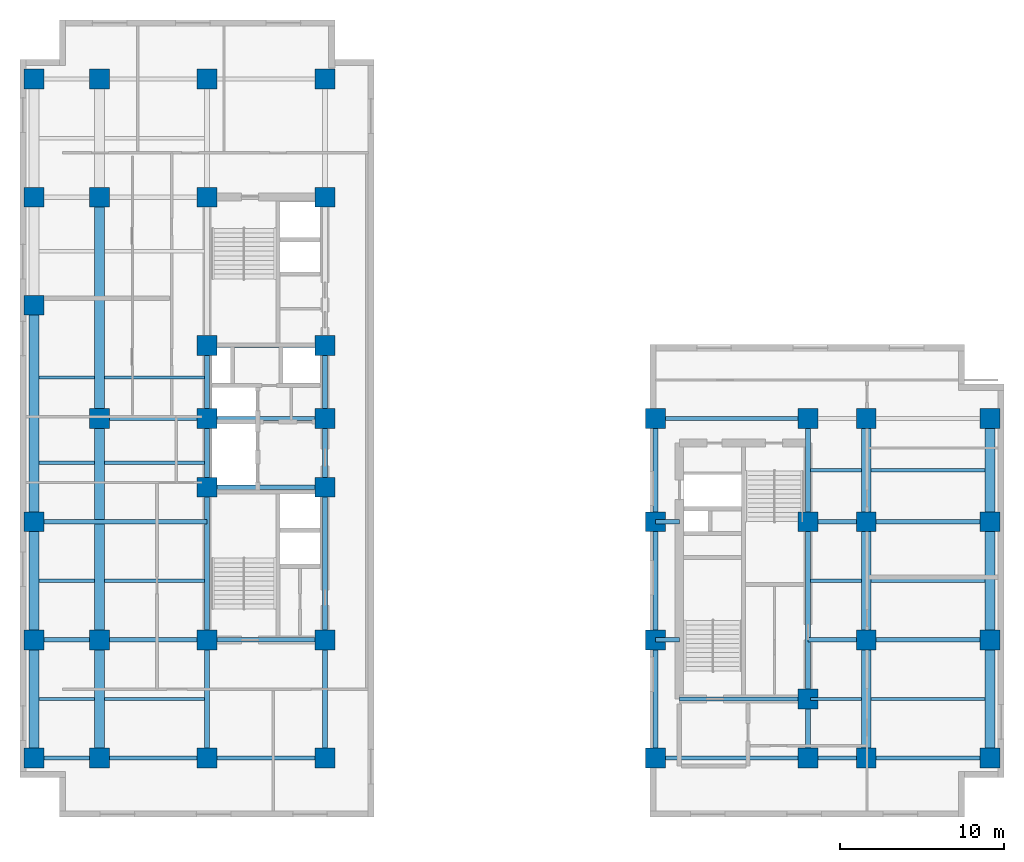
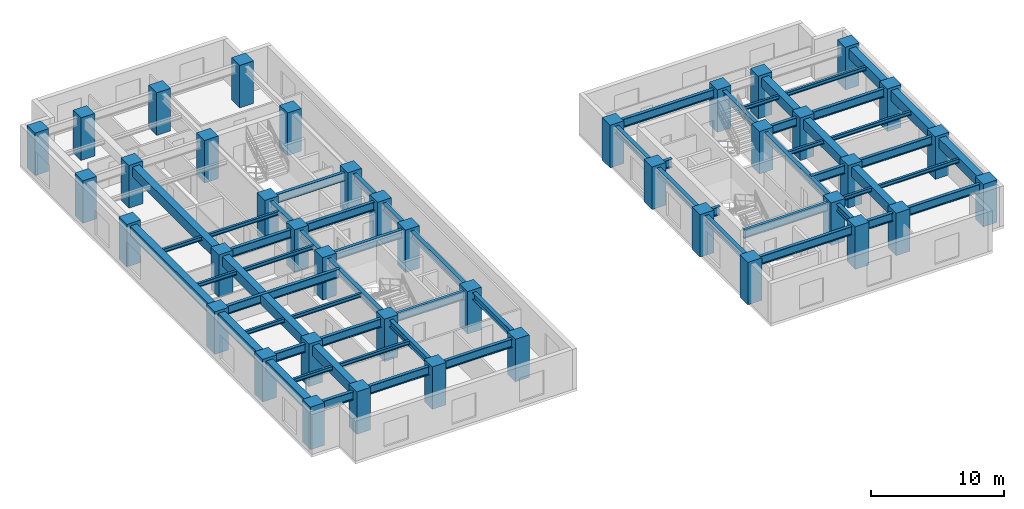
# One storey, part 1 of 9: 62 beams, 41 columns.
"""IFC4 building model written with IfcOpenShell, lengths in metres."""

from ifc_helpers import new_model, entity, si_unit, converted_unit, direction, frame, origin_with_axes, origin_2d_with_axis, place, context, subcontext, project, spatial, rectangle, i_section, extrude, material, material_profile, profile_set, type_object, element, save


model = new_model("IFC4")

# Units and contexts
model_context = context("Model", 3, precision=1e-05, world=origin_with_axes(), true_north=direction((0.0, 1.0)))
body_context = subcontext(model_context, "Body", "Model", "MODEL_VIEW")
ifc_project = project(units=[si_unit("LENGTHUNIT", "METRE"), si_unit("AREAUNIT", "SQUARE_METRE"), si_unit("VOLUMEUNIT", "CUBIC_METRE"), converted_unit("PLANEANGLEUNIT", "DEGREE", entity("IfcPlaneAngleMeasure", 0.017453292519943295), si_unit("PLANEANGLEUNIT", "RADIAN"), dimensions=[0, 0, 0, 0, 0, 0, 0]), si_unit("MASSUNIT", "GRAM", prefix="KILO"), si_unit("THERMODYNAMICTEMPERATUREUNIT", "KELVIN")], contexts=[model_context])

# Site, building, storey
site_placement = place(None, origin_with_axes())
site = spatial("IfcSite", under=ifc_project, at=site_placement, CompositionType="ELEMENT")
building_placement = place(site_placement, origin_with_axes())
building = spatial("IfcBuilding", under=site, at=building_placement, Name="Varnlund Millrace Tower", CompositionType="ELEMENT")
storey_placement = place(building_placement, frame((0.0, 0.0, 108.6), z_axis=(0.0, 0.0, 1.0), x_axis=(1.0, 0.0, 0.0)))
storey = spatial("IfcBuildingStorey", under=building, at=storey_placement, Name="L26", CompositionType="ELEMENT", Elevation=108.6)

# Columns
ifc_material_1 = material(Name="Concrete C80/95", Category="concrete")
ifc_material_profile_1 = material_profile(ifc_material_1, rectangle(XDim=1.2, YDim=1.2, at=origin_2d_with_axis()), Name="Concrete C80/95")
ifc_profile_set_1 = profile_set([ifc_material_profile_1], Name="Concrete C80/95")
column_type = type_object("IfcColumnType", Name="Type-Col-RC1200-C80", PredefinedType="COLUMN", material=ifc_profile_set_1)
for number, where, z_axis, x_axis, name in (
    (1, (11.4, 3.6, 0.0), (0.0, 0.0, 1.0), (1.0, 0.0, 0.0), "Type-Col-RC1200-C80"),
    (2, (11.4, 10.8, 0.0), (0.0, 0.0, 1.0), (1.0, 0.0, 0.0), "Type-Col-RC1200-C80"),
    (3, (11.4, 20.1, 0.0), (0.0, 0.0, 1.0), (1.0, 0.0, 0.0), "Type-Col-RC1200-C80"),
    (4, (11.4, 24.3, 0.0), (0.0, 0.0, 1.0), (1.0, 0.0, 0.0), "Type-Col-RC1200-C80"),
    (5, (11.4, 28.75, 0.0), (0.0, 0.0, 1.0), (1.0, 0.0, 0.0), "Type-Col-RC1200-C80"),
    (6, (11.4, 37.8, 0.0), (0.0, 0.0, 1.0), (1.0, 0.0, 0.0), "Type-Col-RC1200-C80"),
    (7, (11.4, 45.0, 0.0), (0.0, 0.0, 1.0), (1.0, 0.0, 0.0), "Type-Col-RC1200-C80"),
    (8, (18.6, 3.6, 0.0), (0.0, 0.0, 1.0), (1.0, 0.0, 0.0), "Type-Col-RC1200-C80"),
    (9, (18.6, 10.8, 0.0), (0.0, 0.0, 1.0), (1.0, 0.0, 0.0), "Type-Col-RC1200-C80"),
    (10, (18.6, 20.1, 0.0), (0.0, 0.0, 1.0), (1.0, 0.0, 0.0), "Type-Col-RC1200-C80"),
    (11, (18.6, 24.3, 0.0), (0.0, 0.0, 1.0), (1.0, 0.0, 0.0), "Type-Col-RC1200-C80"),
    (12, (18.6, 28.75, 0.0), (0.0, 0.0, 1.0), (1.0, 0.0, 0.0), "Type-Col-RC1200-C80"),
    (13, (18.6, 37.8, 0.0), (0.0, 0.0, 1.0), (1.0, 0.0, 0.0), "Type-Col-RC1200-C80"),
    (14, (18.6, 45.0, 0.0), (0.0, 0.0, 1.0), (1.0, 0.0, 0.0), "Type-Col-RC1200-C80"),
    (15, (4.85, 3.6, 0.0), (0.0, 0.0, 1.0), (1.0, 0.0, 0.0), "Type-Col-RC1200-C80"),
    (16, (4.85, 10.8, 0.0), (0.0, 0.0, 1.0), (1.0, 0.0, 0.0), "Type-Col-RC1200-C80"),
    (17, (4.85, 24.3, 0.0), (0.0, 0.0, 1.0), (1.0, 0.0, 0.0), "Type-Col-RC1200-C80"),
    (18, (4.85, 37.8, 0.0), (0.0, 0.0, 1.0), (1.0, 0.0, 0.0), "Type-Col-RC1200-C80"),
    (19, (4.85, 45.0, 0.0), (0.0, 0.0, 1.0), (1.0, 0.0, 0.0), "Type-Col-RC1200-C80"),
    (20, (0.85, 3.6, 0.0), (0.0, 0.0, 1.0), (1.0, 0.0, 0.0), "Type-Col-RC1200-C80"),
    (21, (0.85, 10.8, 0.0), (0.0, 0.0, 1.0), (1.0, 0.0, 0.0), "Type-Col-RC1200-C80"),
    (22, (0.85, 18.0, 0.0), (0.0, 0.0, 1.0), (1.0, 0.0, 0.0), "Type-Col-RC1200-C80"),
    (23, (0.85, 31.2, 0.0), (0.0, 0.0, 1.0), (1.0, 0.0, 0.0), "Type-Col-RC1200-C80"),
    (24, (0.85, 37.8, 0.0), (0.0, 0.0, 1.0), (1.0, 0.0, 0.0), "Type-Col-RC1200-C80"),
    (25, (0.85, 45.0, 0.0), (0.0, 0.0, 1.0), (1.0, 0.0, 0.0), "Type-Col-RC1200-C80"),
    (26, (38.75, 3.6, 0.0), (0.0, 0.0, 1.0), (1.0, 0.0, 0.0), "Type-Col-RC1200-C80"),
    (27, (38.75, 10.8, 0.0), (0.0, 0.0, 1.0), (1.0, 0.0, 0.0), "Type-Col-RC1200-C80"),
    (28, (38.75, 18.0, 0.0), (0.0, 0.0, 1.0), (1.0, 0.0, 0.0), "Type-Col-RC1200-C80"),
    (29, (38.75, 24.3, 0.0), (0.0, 0.0, 1.0), (1.0, 0.0, 0.0), "Type-Col-RC1200-C80"),
    (30, (48.05, 3.6, 0.0), (0.0, 0.0, 1.0), (1.0, 0.0, 0.0), "Type-Col-RC1200-C80"),
    (31, (48.05, 7.2, 0.0), (0.0, 0.0, 1.0), (1.0, 0.0, 0.0), "Type-Col-RC1200-C80"),
    (32, (48.05, 18.0, 0.0), (0.0, 0.0, 1.0), (1.0, 0.0, 0.0), "Type-Col-RC1200-C80"),
    (33, (48.05, 24.3, 0.0), (0.0, 0.0, 1.0), (1.0, 0.0, 0.0), "Type-Col-RC1200-C80"),
    (34, (51.6, 3.6, 0.0), (0.0, 0.0, 1.0), (1.0, 0.0, 0.0), "Type-Col-RC1200-C80"),
    (35, (51.6, 10.8, 0.0), (0.0, 0.0, 1.0), (1.0, 0.0, 0.0), "Type-Col-RC1200-C80"),
    (36, (51.6, 18.0, 0.0), (0.0, 0.0, 1.0), (1.0, 0.0, 0.0), "Type-Col-RC1200-C80"),
    (37, (51.6, 24.3, 0.0), (0.0, 0.0, 1.0), (1.0, 0.0, 0.0), "Type-Col-RC1200-C80"),
    (38, (59.15, 3.6, 0.0), (0.0, 0.0, 1.0), (1.0, 0.0, 0.0), "Type-Col-RC1200-C80"),
    (39, (59.15, 10.8, 0.0), (0.0, 0.0, 1.0), (1.0, 0.0, 0.0), "Type-Col-RC1200-C80"),
    (40, (59.15, 18.0, 0.0), (0.0, 0.0, 1.0), (1.0, 0.0, 0.0), "Type-Col-RC1200-C80"),
    (41, (59.15, 24.3, 0.0), (0.0, 0.0, 1.0), (1.0, 0.0, 0.0), "Type-Col-RC1200-C80"),
):
    element("IfcColumn", number, at=place(storey_placement, frame(where, z_axis=z_axis, x_axis=x_axis)), inside=storey, type_object=column_type, Name=name, PredefinedType="COLUMN", context=body_context, shape_type="SweptSolid", body=[
        extrude(rectangle(XDim=1.2, YDim=1.2, at=origin_2d_with_axis()), origin_with_axes(), (0.0, 0.0, 1.0), 3.9),
    ])

# Beams
ifc_material_2 = material(Name="Steel ASTM A992 Grade 50", Category="steel")
ifc_material_profile_2 = material_profile(ifc_material_2, i_section(OverallWidth=0.328, OverallDepth=0.628, WebThickness=0.0165, FlangeThickness=0.0277, FilletRadius=0.018, at=origin_2d_with_axis()), Name="Steel ASTM A992 Grade 50")
ifc_profile_set_2 = profile_set([ifc_material_profile_2], Name="Steel ASTM A992 Grade 50")
beam_type_1 = type_object("IfcBeamType", Name="Type-Girder-W24X146", PredefinedType="USERDEFINED", material=ifc_profile_set_2)
beam_1_placement = place(storey_placement, frame((11.4, 3.6, 3.346), z_axis=(0.0, 1.0, 0.0), x_axis=(-1.0, 0.0, 0.0)))
element("IfcBeam", 42, at=beam_1_placement, inside=storey, type_object=beam_type_1, Name="Type-Girder-W24X146", ObjectType="GIRDER", PredefinedType="USERDEFINED", context=body_context, shape_type="SweptSolid", body=[
    extrude(i_section(OverallWidth=0.328, OverallDepth=0.628, WebThickness=0.0165, FlangeThickness=0.0277, FilletRadius=0.018, at=origin_2d_with_axis()), origin_with_axes(), (0.0, 0.0, 1.0), 7.2),
])
beam_2_placement = place(storey_placement, frame((11.4, 10.8, 3.346), z_axis=(0.0, 1.0, 0.0), x_axis=(-1.0, 0.0, 0.0)))
element("IfcBeam", 43, at=beam_2_placement, inside=storey, type_object=beam_type_1, Name="Type-Girder-W24X146", ObjectType="GIRDER", PredefinedType="USERDEFINED", context=body_context, shape_type="SweptSolid", body=[
    extrude(i_section(OverallWidth=0.328, OverallDepth=0.628, WebThickness=0.0165, FlangeThickness=0.0277, FilletRadius=0.018, at=origin_2d_with_axis()), origin_with_axes(), (0.0, 0.0, 1.0), 9.3),
])
beam_3_placement = place(storey_placement, frame((11.4, 20.1, 3.346), z_axis=(0.0, 1.0, 0.0), x_axis=(-1.0, 0.0, 0.0)))
element("IfcBeam", 44, at=beam_3_placement, inside=storey, type_object=beam_type_1, Name="Type-Girder-W24X146", ObjectType="GIRDER", PredefinedType="USERDEFINED", context=body_context, shape_type="SweptSolid", body=[
    extrude(i_section(OverallWidth=0.328, OverallDepth=0.628, WebThickness=0.0165, FlangeThickness=0.0277, FilletRadius=0.018, at=origin_2d_with_axis()), origin_with_axes(), (0.0, 0.0, 1.0), 4.2),
])
beam_4_placement = place(storey_placement, frame((11.4, 24.3, 3.346), z_axis=(0.0, 1.0, 0.0), x_axis=(-1.0, 0.0, 0.0)))
element("IfcBeam", 45, at=beam_4_placement, inside=storey, type_object=beam_type_1, Name="Type-Girder-W24X146", ObjectType="GIRDER", PredefinedType="USERDEFINED", context=body_context, shape_type="SweptSolid", body=[
    extrude(i_section(OverallWidth=0.328, OverallDepth=0.628, WebThickness=0.0165, FlangeThickness=0.0277, FilletRadius=0.018, at=origin_2d_with_axis()), origin_with_axes(), (0.0, 0.0, 1.0), 4.45),
])
beam_5_placement = place(storey_placement, frame((18.6, 3.6, 3.346), z_axis=(0.0, 1.0, 0.0), x_axis=(-1.0, 0.0, 0.0)))
element("IfcBeam", 46, at=beam_5_placement, inside=storey, type_object=beam_type_1, Name="Type-Girder-W24X146", ObjectType="GIRDER", PredefinedType="USERDEFINED", context=body_context, shape_type="SweptSolid", body=[
    extrude(i_section(OverallWidth=0.328, OverallDepth=0.628, WebThickness=0.0165, FlangeThickness=0.0277, FilletRadius=0.018, at=origin_2d_with_axis()), origin_with_axes(), (0.0, 0.0, 1.0), 7.2),
])
beam_6_placement = place(storey_placement, frame((18.6, 10.8, 3.346), z_axis=(0.0, 1.0, 0.0), x_axis=(-1.0, 0.0, 0.0)))
element("IfcBeam", 47, at=beam_6_placement, inside=storey, type_object=beam_type_1, Name="Type-Girder-W24X146", ObjectType="GIRDER", PredefinedType="USERDEFINED", context=body_context, shape_type="SweptSolid", body=[
    extrude(i_section(OverallWidth=0.328, OverallDepth=0.628, WebThickness=0.0165, FlangeThickness=0.0277, FilletRadius=0.018, at=origin_2d_with_axis()), origin_with_axes(), (0.0, 0.0, 1.0), 9.3),
])
beam_7_placement = place(storey_placement, frame((18.6, 20.1, 3.346), z_axis=(0.0, 1.0, 0.0), x_axis=(-1.0, 0.0, 0.0)))
element("IfcBeam", 48, at=beam_7_placement, inside=storey, type_object=beam_type_1, Name="Type-Girder-W24X146", ObjectType="GIRDER", PredefinedType="USERDEFINED", context=body_context, shape_type="SweptSolid", body=[
    extrude(i_section(OverallWidth=0.328, OverallDepth=0.628, WebThickness=0.0165, FlangeThickness=0.0277, FilletRadius=0.018, at=origin_2d_with_axis()), origin_with_axes(), (0.0, 0.0, 1.0), 4.2),
])
beam_8_placement = place(storey_placement, frame((18.6, 24.3, 3.346), z_axis=(0.0, 1.0, 0.0), x_axis=(-1.0, 0.0, 0.0)))
element("IfcBeam", 49, at=beam_8_placement, inside=storey, type_object=beam_type_1, Name="Type-Girder-W24X146", ObjectType="GIRDER", PredefinedType="USERDEFINED", context=body_context, shape_type="SweptSolid", body=[
    extrude(i_section(OverallWidth=0.328, OverallDepth=0.628, WebThickness=0.0165, FlangeThickness=0.0277, FilletRadius=0.018, at=origin_2d_with_axis()), origin_with_axes(), (0.0, 0.0, 1.0), 4.45),
])
for number, where, z_axis, x_axis, name in (
    (50, (38.75, 3.6, 3.346), (0.0, 1.0, 0.0), (-1.0, 0.0, 0.0), "Type-Girder-W24X146"),
    (51, (38.75, 10.8, 3.346), (0.0, 1.0, 0.0), (-1.0, 0.0, 0.0), "Type-Girder-W24X146"),
):
    element("IfcBeam", number, at=place(storey_placement, frame(where, z_axis=z_axis, x_axis=x_axis)), inside=storey, type_object=beam_type_1, Name=name, ObjectType="GIRDER", PredefinedType="USERDEFINED", context=body_context, shape_type="SweptSolid", body=[
        extrude(i_section(OverallWidth=0.328, OverallDepth=0.628, WebThickness=0.0165, FlangeThickness=0.0277, FilletRadius=0.018, at=origin_2d_with_axis()), origin_with_axes(), (0.0, 0.0, 1.0), 7.2),
    ])
beam_9_placement = place(storey_placement, frame((38.75, 18.0, 3.346), z_axis=(0.0, 1.0, 0.0), x_axis=(-1.0, 0.0, 0.0)))
element("IfcBeam", 52, at=beam_9_placement, inside=storey, type_object=beam_type_1, Name="Type-Girder-W24X146", ObjectType="GIRDER", PredefinedType="USERDEFINED", context=body_context, shape_type="SweptSolid", body=[
    extrude(i_section(OverallWidth=0.328, OverallDepth=0.628, WebThickness=0.0165, FlangeThickness=0.0277, FilletRadius=0.018, at=origin_2d_with_axis()), origin_with_axes(), (0.0, 0.0, 1.0), 6.3),
])
beam_10_placement = place(storey_placement, frame((48.05, 3.6, 3.346), z_axis=(0.0, 1.0, 0.0), x_axis=(-1.0, 0.0, 0.0)))
element("IfcBeam", 53, at=beam_10_placement, inside=storey, type_object=beam_type_1, Name="Type-Girder-W24X146", ObjectType="GIRDER", PredefinedType="USERDEFINED", context=body_context, shape_type="SweptSolid", body=[
    extrude(i_section(OverallWidth=0.328, OverallDepth=0.628, WebThickness=0.0165, FlangeThickness=0.0277, FilletRadius=0.018, at=origin_2d_with_axis()), origin_with_axes(), (0.0, 0.0, 1.0), 3.6),
])
beam_11_placement = place(storey_placement, frame((48.05, 7.2, 3.346), z_axis=(0.0, 1.0, 0.0), x_axis=(-1.0, 0.0, 0.0)))
element("IfcBeam", 54, at=beam_11_placement, inside=storey, type_object=beam_type_1, Name="Type-Girder-W24X146", ObjectType="GIRDER", PredefinedType="USERDEFINED", context=body_context, shape_type="SweptSolid", body=[
    extrude(i_section(OverallWidth=0.328, OverallDepth=0.628, WebThickness=0.0165, FlangeThickness=0.0277, FilletRadius=0.018, at=origin_2d_with_axis()), origin_with_axes(), (0.0, 0.0, 1.0), 10.8),
])
beam_12_placement = place(storey_placement, frame((48.05, 18.0, 3.346), z_axis=(0.0, 1.0, 0.0), x_axis=(-1.0, 0.0, 0.0)))
element("IfcBeam", 55, at=beam_12_placement, inside=storey, type_object=beam_type_1, Name="Type-Girder-W24X146", ObjectType="GIRDER", PredefinedType="USERDEFINED", context=body_context, shape_type="SweptSolid", body=[
    extrude(i_section(OverallWidth=0.328, OverallDepth=0.628, WebThickness=0.0165, FlangeThickness=0.0277, FilletRadius=0.018, at=origin_2d_with_axis()), origin_with_axes(), (0.0, 0.0, 1.0), 6.3),
])
ifc_material_profile_3 = material_profile(ifc_material_2, i_section(OverallWidth=0.266, OverallDepth=0.779, WebThickness=0.0165, FlangeThickness=0.03, FilletRadius=0.02, at=origin_2d_with_axis()), Name="Steel ASTM A992 Grade 50")
ifc_profile_set_3 = profile_set([ifc_material_profile_3], Name="Steel ASTM A992 Grade 50")
beam_type_2 = type_object("IfcBeamType", Name="Type-Girder-W30X148", PredefinedType="USERDEFINED", material=ifc_profile_set_3)
beam_13_placement = place(storey_placement, frame((0.85, 3.6, 3.2705), z_axis=(1.0, 0.0, 0.0), x_axis=(0.0, 1.0, 0.0)))
element("IfcBeam", 56, at=beam_13_placement, inside=storey, type_object=beam_type_2, Name="Type-Girder-W30X148", ObjectType="GIRDER", PredefinedType="USERDEFINED", context=body_context, shape_type="SweptSolid", body=[
    extrude(i_section(OverallWidth=0.266, OverallDepth=0.779, WebThickness=0.0165, FlangeThickness=0.03, FilletRadius=0.02, at=origin_2d_with_axis()), origin_with_axes(), (0.0, 0.0, 1.0), 4.0),
])
beam_14_placement = place(storey_placement, frame((4.85, 3.6, 3.2705), z_axis=(1.0, 0.0, 0.0), x_axis=(0.0, 1.0, 0.0)))
element("IfcBeam", 57, at=beam_14_placement, inside=storey, type_object=beam_type_2, Name="Type-Girder-W30X148", ObjectType="GIRDER", PredefinedType="USERDEFINED", context=body_context, shape_type="SweptSolid", body=[
    extrude(i_section(OverallWidth=0.266, OverallDepth=0.779, WebThickness=0.0165, FlangeThickness=0.03, FilletRadius=0.02, at=origin_2d_with_axis()), origin_with_axes(), (0.0, 0.0, 1.0), 6.55),
])
beam_15_placement = place(storey_placement, frame((11.4, 3.6, 3.2705), z_axis=(1.0, 0.0, 0.0), x_axis=(0.0, 1.0, 0.0)))
element("IfcBeam", 58, at=beam_15_placement, inside=storey, type_object=beam_type_2, Name="Type-Girder-W30X148", ObjectType="GIRDER", PredefinedType="USERDEFINED", context=body_context, shape_type="SweptSolid", body=[
    extrude(i_section(OverallWidth=0.266, OverallDepth=0.779, WebThickness=0.0165, FlangeThickness=0.03, FilletRadius=0.02, at=origin_2d_with_axis()), origin_with_axes(), (0.0, 0.0, 1.0), 7.2),
])
beam_16_placement = place(storey_placement, frame((38.75, 3.6, 3.2705), z_axis=(1.0, 0.0, 0.0), x_axis=(0.0, 1.0, 0.0)))
element("IfcBeam", 59, at=beam_16_placement, inside=storey, type_object=beam_type_2, Name="Type-Girder-W30X148", ObjectType="GIRDER", PredefinedType="USERDEFINED", context=body_context, shape_type="SweptSolid", body=[
    extrude(i_section(OverallWidth=0.266, OverallDepth=0.779, WebThickness=0.0165, FlangeThickness=0.03, FilletRadius=0.02, at=origin_2d_with_axis()), origin_with_axes(), (0.0, 0.0, 1.0), 9.3),
])
beam_17_placement = place(storey_placement, frame((48.05, 3.6, 3.2705), z_axis=(1.0, 0.0, 0.0), x_axis=(0.0, 1.0, 0.0)))
element("IfcBeam", 60, at=beam_17_placement, inside=storey, type_object=beam_type_2, Name="Type-Girder-W30X148", ObjectType="GIRDER", PredefinedType="USERDEFINED", context=body_context, shape_type="SweptSolid", body=[
    extrude(i_section(OverallWidth=0.266, OverallDepth=0.779, WebThickness=0.0165, FlangeThickness=0.03, FilletRadius=0.02, at=origin_2d_with_axis()), origin_with_axes(), (0.0, 0.0, 1.0), 3.55),
])
beam_18_placement = place(storey_placement, frame((51.6, 3.6, 3.2705), z_axis=(1.0, 0.0, 0.0), x_axis=(0.0, 1.0, 0.0)))
element("IfcBeam", 61, at=beam_18_placement, inside=storey, type_object=beam_type_2, Name="Type-Girder-W30X148", ObjectType="GIRDER", PredefinedType="USERDEFINED", context=body_context, shape_type="SweptSolid", body=[
    extrude(i_section(OverallWidth=0.266, OverallDepth=0.779, WebThickness=0.0165, FlangeThickness=0.03, FilletRadius=0.02, at=origin_2d_with_axis()), origin_with_axes(), (0.0, 0.0, 1.0), 7.55),
])
beam_19_placement = place(storey_placement, frame((40.2, 7.2, 3.2705), z_axis=(1.0, 0.0, 0.0), x_axis=(0.0, 1.0, 0.0)))
element("IfcBeam", 62, at=beam_19_placement, inside=storey, type_object=beam_type_2, Name="Type-Girder-W30X148", ObjectType="GIRDER", PredefinedType="USERDEFINED", context=body_context, shape_type="SweptSolid", body=[
    extrude(i_section(OverallWidth=0.266, OverallDepth=0.779, WebThickness=0.0165, FlangeThickness=0.03, FilletRadius=0.02, at=origin_2d_with_axis()), origin_with_axes(), (0.0, 0.0, 1.0), 7.85),
])
beam_20_placement = place(storey_placement, frame((0.85, 10.8, 3.2705), z_axis=(1.0, 0.0, 0.0), x_axis=(0.0, 1.0, 0.0)))
element("IfcBeam", 63, at=beam_20_placement, inside=storey, type_object=beam_type_2, Name="Type-Girder-W30X148", ObjectType="GIRDER", PredefinedType="USERDEFINED", context=body_context, shape_type="SweptSolid", body=[
    extrude(i_section(OverallWidth=0.266, OverallDepth=0.779, WebThickness=0.0165, FlangeThickness=0.03, FilletRadius=0.02, at=origin_2d_with_axis()), origin_with_axes(), (0.0, 0.0, 1.0), 4.0),
])
beam_21_placement = place(storey_placement, frame((4.85, 10.8, 3.2705), z_axis=(1.0, 0.0, 0.0), x_axis=(0.0, 1.0, 0.0)))
element("IfcBeam", 64, at=beam_21_placement, inside=storey, type_object=beam_type_2, Name="Type-Girder-W30X148", ObjectType="GIRDER", PredefinedType="USERDEFINED", context=body_context, shape_type="SweptSolid", body=[
    extrude(i_section(OverallWidth=0.266, OverallDepth=0.779, WebThickness=0.0165, FlangeThickness=0.03, FilletRadius=0.02, at=origin_2d_with_axis()), origin_with_axes(), (0.0, 0.0, 1.0), 6.55),
])
beam_22_placement = place(storey_placement, frame((11.4, 10.8, 3.2705), z_axis=(1.0, 0.0, 0.0), x_axis=(0.0, 1.0, 0.0)))
element("IfcBeam", 65, at=beam_22_placement, inside=storey, type_object=beam_type_2, Name="Type-Girder-W30X148", ObjectType="GIRDER", PredefinedType="USERDEFINED", context=body_context, shape_type="SweptSolid", body=[
    extrude(i_section(OverallWidth=0.266, OverallDepth=0.779, WebThickness=0.0165, FlangeThickness=0.03, FilletRadius=0.02, at=origin_2d_with_axis()), origin_with_axes(), (0.0, 0.0, 1.0), 7.2),
])
beam_23_placement = place(storey_placement, frame((38.75, 10.8, 3.2705), z_axis=(1.0, 0.0, 0.0), x_axis=(0.0, 1.0, 0.0)))
element("IfcBeam", 66, at=beam_23_placement, inside=storey, type_object=beam_type_2, Name="Type-Girder-W30X148", ObjectType="GIRDER", PredefinedType="USERDEFINED", context=body_context, shape_type="SweptSolid", body=[
    extrude(i_section(OverallWidth=0.266, OverallDepth=0.779, WebThickness=0.0165, FlangeThickness=0.03, FilletRadius=0.02, at=origin_2d_with_axis()), origin_with_axes(), (0.0, 0.0, 1.0), 1.45),
])
beam_24_placement = place(storey_placement, frame((48.05, 10.8, 3.2705), z_axis=(1.0, 0.0, 0.0), x_axis=(0.0, 1.0, 0.0)))
element("IfcBeam", 67, at=beam_24_placement, inside=storey, type_object=beam_type_2, Name="Type-Girder-W30X148", ObjectType="GIRDER", PredefinedType="USERDEFINED", context=body_context, shape_type="SweptSolid", body=[
    extrude(i_section(OverallWidth=0.266, OverallDepth=0.779, WebThickness=0.0165, FlangeThickness=0.03, FilletRadius=0.02, at=origin_2d_with_axis()), origin_with_axes(), (0.0, 0.0, 1.0), 3.55),
])
beam_25_placement = place(storey_placement, frame((51.6, 10.8, 3.2705), z_axis=(1.0, 0.0, 0.0), x_axis=(0.0, 1.0, 0.0)))
element("IfcBeam", 68, at=beam_25_placement, inside=storey, type_object=beam_type_2, Name="Type-Girder-W30X148", ObjectType="GIRDER", PredefinedType="USERDEFINED", context=body_context, shape_type="SweptSolid", body=[
    extrude(i_section(OverallWidth=0.266, OverallDepth=0.779, WebThickness=0.0165, FlangeThickness=0.03, FilletRadius=0.02, at=origin_2d_with_axis()), origin_with_axes(), (0.0, 0.0, 1.0), 7.55),
])
beam_26_placement = place(storey_placement, frame((0.85, 18.0, 3.2705), z_axis=(1.0, 0.0, 0.0), x_axis=(0.0, 1.0, 0.0)))
element("IfcBeam", 69, at=beam_26_placement, inside=storey, type_object=beam_type_2, Name="Type-Girder-W30X148", ObjectType="GIRDER", PredefinedType="USERDEFINED", context=body_context, shape_type="SweptSolid", body=[
    extrude(i_section(OverallWidth=0.266, OverallDepth=0.779, WebThickness=0.0165, FlangeThickness=0.03, FilletRadius=0.02, at=origin_2d_with_axis()), origin_with_axes(), (0.0, 0.0, 1.0), 10.55),
])
beam_27_placement = place(storey_placement, frame((38.75, 18.0, 3.2705), z_axis=(1.0, 0.0, 0.0), x_axis=(0.0, 1.0, 0.0)))
element("IfcBeam", 70, at=beam_27_placement, inside=storey, type_object=beam_type_2, Name="Type-Girder-W30X148", ObjectType="GIRDER", PredefinedType="USERDEFINED", context=body_context, shape_type="SweptSolid", body=[
    extrude(i_section(OverallWidth=0.266, OverallDepth=0.779, WebThickness=0.0165, FlangeThickness=0.03, FilletRadius=0.02, at=origin_2d_with_axis()), origin_with_axes(), (0.0, 0.0, 1.0), 1.45),
])
beam_28_placement = place(storey_placement, frame((48.05, 18.0, 3.2705), z_axis=(1.0, 0.0, 0.0), x_axis=(0.0, 1.0, 0.0)))
element("IfcBeam", 71, at=beam_28_placement, inside=storey, type_object=beam_type_2, Name="Type-Girder-W30X148", ObjectType="GIRDER", PredefinedType="USERDEFINED", context=body_context, shape_type="SweptSolid", body=[
    extrude(i_section(OverallWidth=0.266, OverallDepth=0.779, WebThickness=0.0165, FlangeThickness=0.03, FilletRadius=0.02, at=origin_2d_with_axis()), origin_with_axes(), (0.0, 0.0, 1.0), 3.55),
])
beam_29_placement = place(storey_placement, frame((51.6, 18.0, 3.2705), z_axis=(1.0, 0.0, 0.0), x_axis=(0.0, 1.0, 0.0)))
element("IfcBeam", 72, at=beam_29_placement, inside=storey, type_object=beam_type_2, Name="Type-Girder-W30X148", ObjectType="GIRDER", PredefinedType="USERDEFINED", context=body_context, shape_type="SweptSolid", body=[
    extrude(i_section(OverallWidth=0.266, OverallDepth=0.779, WebThickness=0.0165, FlangeThickness=0.03, FilletRadius=0.02, at=origin_2d_with_axis()), origin_with_axes(), (0.0, 0.0, 1.0), 7.55),
])
beam_30_placement = place(storey_placement, frame((11.4, 20.1, 3.2705), z_axis=(1.0, 0.0, 0.0), x_axis=(0.0, 1.0, 0.0)))
element("IfcBeam", 73, at=beam_30_placement, inside=storey, type_object=beam_type_2, Name="Type-Girder-W30X148", ObjectType="GIRDER", PredefinedType="USERDEFINED", context=body_context, shape_type="SweptSolid", body=[
    extrude(i_section(OverallWidth=0.266, OverallDepth=0.779, WebThickness=0.0165, FlangeThickness=0.03, FilletRadius=0.02, at=origin_2d_with_axis()), origin_with_axes(), (0.0, 0.0, 1.0), 7.2),
])
beam_31_placement = place(storey_placement, frame((4.85, 24.3, 3.2705), z_axis=(1.0, 0.0, 0.0), x_axis=(0.0, 1.0, 0.0)))
element("IfcBeam", 74, at=beam_31_placement, inside=storey, type_object=beam_type_2, Name="Type-Girder-W30X148", ObjectType="GIRDER", PredefinedType="USERDEFINED", context=body_context, shape_type="SweptSolid", body=[
    extrude(i_section(OverallWidth=0.266, OverallDepth=0.779, WebThickness=0.0165, FlangeThickness=0.03, FilletRadius=0.02, at=origin_2d_with_axis()), origin_with_axes(), (0.0, 0.0, 1.0), 6.55),
])
beam_32_placement = place(storey_placement, frame((11.4, 24.3, 3.2705), z_axis=(1.0, 0.0, 0.0), x_axis=(0.0, 1.0, 0.0)))
element("IfcBeam", 75, at=beam_32_placement, inside=storey, type_object=beam_type_2, Name="Type-Girder-W30X148", ObjectType="GIRDER", PredefinedType="USERDEFINED", context=body_context, shape_type="SweptSolid", body=[
    extrude(i_section(OverallWidth=0.266, OverallDepth=0.779, WebThickness=0.0165, FlangeThickness=0.03, FilletRadius=0.02, at=origin_2d_with_axis()), origin_with_axes(), (0.0, 0.0, 1.0), 7.2),
])
beam_33_placement = place(storey_placement, frame((38.75, 24.3, 3.2705), z_axis=(1.0, 0.0, 0.0), x_axis=(0.0, 1.0, 0.0)))
element("IfcBeam", 76, at=beam_33_placement, inside=storey, type_object=beam_type_2, Name="Type-Girder-W30X148", ObjectType="GIRDER", PredefinedType="USERDEFINED", context=body_context, shape_type="SweptSolid", body=[
    extrude(i_section(OverallWidth=0.266, OverallDepth=0.779, WebThickness=0.0165, FlangeThickness=0.03, FilletRadius=0.02, at=origin_2d_with_axis()), origin_with_axes(), (0.0, 0.0, 1.0), 9.3),
])
beam_34_placement = place(storey_placement, frame((11.4, 28.75, 3.2705), z_axis=(1.0, 0.0, 0.0), x_axis=(0.0, 1.0, 0.0)))
element("IfcBeam", 77, at=beam_34_placement, inside=storey, type_object=beam_type_2, Name="Type-Girder-W30X148", ObjectType="GIRDER", PredefinedType="USERDEFINED", context=body_context, shape_type="SweptSolid", body=[
    extrude(i_section(OverallWidth=0.266, OverallDepth=0.779, WebThickness=0.0165, FlangeThickness=0.03, FilletRadius=0.02, at=origin_2d_with_axis()), origin_with_axes(), (0.0, 0.0, 1.0), 7.2),
])
ifc_material_profile_4 = material_profile(ifc_material_2, i_section(OverallWidth=0.204, OverallDepth=0.35, WebThickness=0.0086, FlangeThickness=0.0151, FilletRadius=0.013, at=origin_2d_with_axis()), Name="Steel ASTM A992 Grade 50")
ifc_profile_set_4 = profile_set([ifc_material_profile_4], Name="Steel ASTM A992 Grade 50")
beam_type_3 = type_object("IfcBeamType", Name="Type-Joist-W14X48", PredefinedType="JOIST", material=ifc_profile_set_4)
for number, where, z_axis, x_axis, name in (
    (78, (1.15, 7.2, 3.485), (1.0, 0.0, 0.0), (0.0, 1.0, 0.0), "Type-Joist-W14X48"),
    (79, (1.15, 14.4, 3.485), (1.0, 0.0, 0.0), (0.0, 1.0, 0.0), "Type-Joist-W14X48"),
    (80, (1.15, 21.6, 3.485), (1.0, 0.0, 0.0), (0.0, 1.0, 0.0), "Type-Joist-W14X48"),
    (81, (1.15, 26.8, 3.485), (1.0, 0.0, 0.0), (0.0, 1.0, 0.0), "Type-Joist-W14X48"),
):
    element("IfcBeam", number, at=place(storey_placement, frame(where, z_axis=z_axis, x_axis=x_axis)), inside=storey, type_object=beam_type_3, Name=name, PredefinedType="JOIST", context=body_context, shape_type="SweptSolid", body=[
        extrude(i_section(OverallWidth=0.204, OverallDepth=0.35, WebThickness=0.0086, FlangeThickness=0.0151, FilletRadius=0.013, at=origin_2d_with_axis()), origin_with_axes(), (0.0, 0.0, 1.0), 3.4),
    ])
for number, where, z_axis, x_axis, name in (
    (82, (5.15, 7.2, 3.485), (1.0, 0.0, 0.0), (0.0, 1.0, 0.0), "Type-Joist-W14X48"),
    (83, (5.15, 14.4, 3.485), (1.0, 0.0, 0.0), (0.0, 1.0, 0.0), "Type-Joist-W14X48"),
    (84, (5.15, 21.6, 3.485), (1.0, 0.0, 0.0), (0.0, 1.0, 0.0), "Type-Joist-W14X48"),
    (85, (5.15, 26.8, 3.485), (1.0, 0.0, 0.0), (0.0, 1.0, 0.0), "Type-Joist-W14X48"),
):
    element("IfcBeam", number, at=place(storey_placement, frame(where, z_axis=z_axis, x_axis=x_axis)), inside=storey, type_object=beam_type_3, Name=name, PredefinedType="JOIST", context=body_context, shape_type="SweptSolid", body=[
        extrude(i_section(OverallWidth=0.204, OverallDepth=0.35, WebThickness=0.0086, FlangeThickness=0.0151, FilletRadius=0.013, at=origin_2d_with_axis()), origin_with_axes(), (0.0, 0.0, 1.0), 6.086),
    ])
for number, where, z_axis, x_axis, name in (
    (86, (48.214, 7.2, 3.485), (1.0, 0.0, 0.0), (0.0, 1.0, 0.0), "Type-Joist-W14X48"),
    (87, (48.214, 14.4, 3.485), (1.0, 0.0, 0.0), (0.0, 1.0, 0.0), "Type-Joist-W14X48"),
    (88, (48.214, 21.15, 3.485), (1.0, 0.0, 0.0), (0.0, 1.0, 0.0), "Type-Joist-W14X48"),
):
    element("IfcBeam", number, at=place(storey_placement, frame(where, z_axis=z_axis, x_axis=x_axis)), inside=storey, type_object=beam_type_3, Name=name, PredefinedType="JOIST", context=body_context, shape_type="SweptSolid", body=[
        extrude(i_section(OverallWidth=0.204, OverallDepth=0.35, WebThickness=0.0086, FlangeThickness=0.0151, FilletRadius=0.013, at=origin_2d_with_axis()), origin_with_axes(), (0.0, 0.0, 1.0), 3.086),
    ])
for number, where, z_axis, x_axis, name in (
    (89, (51.9, 7.2, 3.485), (1.0, 0.0, 0.0), (0.0, 1.0, 0.0), "Type-Joist-W14X48"),
    (90, (51.9, 14.4, 3.485), (1.0, 0.0, 0.0), (0.0, 1.0, 0.0), "Type-Joist-W14X48"),
    (91, (51.9, 21.15, 3.485), (1.0, 0.0, 0.0), (0.0, 1.0, 0.0), "Type-Joist-W14X48"),
):
    element("IfcBeam", number, at=place(storey_placement, frame(where, z_axis=z_axis, x_axis=x_axis)), inside=storey, type_object=beam_type_3, Name=name, PredefinedType="JOIST", context=body_context, shape_type="SweptSolid", body=[
        extrude(i_section(OverallWidth=0.204, OverallDepth=0.35, WebThickness=0.0086, FlangeThickness=0.0151, FilletRadius=0.013, at=origin_2d_with_axis()), origin_with_axes(), (0.0, 0.0, 1.0), 6.95),
    ])
ifc_material_3 = material(Name="Concrete C70/85", Category="concrete")
ifc_material_profile_5 = material_profile(ifc_material_3, rectangle(XDim=0.6, YDim=0.9, at=origin_2d_with_axis()), Name="Concrete C70/85")
ifc_profile_set_5 = profile_set([ifc_material_profile_5], Name="Concrete C70/85")
beam_type_4 = type_object("IfcBeamType", Name="Type-Spandrel-RC600X900", PredefinedType="SPANDREL", material=ifc_profile_set_5)
for number, where, z_axis, x_axis, name in (
    (92, (0.85, 3.6, 3.21), (0.0, 1.0, 0.0), (-1.0, 0.0, 0.0), "Type-Spandrel-RC600X900"),
    (93, (0.85, 10.8, 3.21), (0.0, 1.0, 0.0), (-1.0, 0.0, 0.0), "Type-Spandrel-RC600X900"),
):
    element("IfcBeam", number, at=place(storey_placement, frame(where, z_axis=z_axis, x_axis=x_axis)), inside=storey, type_object=beam_type_4, Name=name, PredefinedType="SPANDREL", context=body_context, shape_type="SweptSolid", body=[
        extrude(rectangle(XDim=0.6, YDim=0.9, at=origin_2d_with_axis()), origin_with_axes(), (0.0, 0.0, 1.0), 7.2),
    ])
beam_35_placement = place(storey_placement, frame((0.85, 18.0, 3.21), z_axis=(0.0, 1.0, 0.0), x_axis=(-1.0, 0.0, 0.0)))
element("IfcBeam", 94, at=beam_35_placement, inside=storey, type_object=beam_type_4, Name="Type-Spandrel-RC600X900", PredefinedType="SPANDREL", context=body_context, shape_type="SweptSolid", body=[
    extrude(rectangle(XDim=0.6, YDim=0.9, at=origin_2d_with_axis()), origin_with_axes(), (0.0, 0.0, 1.0), 13.2),
])
beam_36_placement = place(storey_placement, frame((4.85, 3.6, 3.21), z_axis=(0.0, 1.0, 0.0), x_axis=(-1.0, 0.0, 0.0)))
element("IfcBeam", 95, at=beam_36_placement, inside=storey, type_object=beam_type_4, Name="Type-Spandrel-RC600X900", PredefinedType="SPANDREL", context=body_context, shape_type="SweptSolid", body=[
    extrude(rectangle(XDim=0.6, YDim=0.9, at=origin_2d_with_axis()), origin_with_axes(), (0.0, 0.0, 1.0), 7.2),
])
for number, where, z_axis, x_axis, name in (
    (96, (4.85, 10.8, 3.21), (0.0, 1.0, 0.0), (-1.0, 0.0, 0.0), "Type-Spandrel-RC600X900"),
    (97, (4.85, 24.3, 3.21), (0.0, 1.0, 0.0), (-1.0, 0.0, 0.0), "Type-Spandrel-RC600X900"),
):
    element("IfcBeam", number, at=place(storey_placement, frame(where, z_axis=z_axis, x_axis=x_axis)), inside=storey, type_object=beam_type_4, Name=name, PredefinedType="SPANDREL", context=body_context, shape_type="SweptSolid", body=[
        extrude(rectangle(XDim=0.6, YDim=0.9, at=origin_2d_with_axis()), origin_with_axes(), (0.0, 0.0, 1.0), 13.5),
    ])
for number, where, z_axis, x_axis, name in (
    (98, (51.6, 3.6, 3.21), (0.0, 1.0, 0.0), (-1.0, 0.0, 0.0), "Type-Spandrel-RC600X900"),
    (99, (51.6, 10.8, 3.21), (0.0, 1.0, 0.0), (-1.0, 0.0, 0.0), "Type-Spandrel-RC600X900"),
):
    element("IfcBeam", number, at=place(storey_placement, frame(where, z_axis=z_axis, x_axis=x_axis)), inside=storey, type_object=beam_type_4, Name=name, PredefinedType="SPANDREL", context=body_context, shape_type="SweptSolid", body=[
        extrude(rectangle(XDim=0.6, YDim=0.9, at=origin_2d_with_axis()), origin_with_axes(), (0.0, 0.0, 1.0), 7.2),
    ])
beam_37_placement = place(storey_placement, frame((51.6, 18.0, 3.21), z_axis=(0.0, 1.0, 0.0), x_axis=(-1.0, 0.0, 0.0)))
element("IfcBeam", 100, at=beam_37_placement, inside=storey, type_object=beam_type_4, Name="Type-Spandrel-RC600X900", PredefinedType="SPANDREL", context=body_context, shape_type="SweptSolid", body=[
    extrude(rectangle(XDim=0.6, YDim=0.9, at=origin_2d_with_axis()), origin_with_axes(), (0.0, 0.0, 1.0), 6.3),
])
for number, where, z_axis, x_axis, name in (
    (101, (59.15, 3.6, 3.21), (0.0, 1.0, 0.0), (-1.0, 0.0, 0.0), "Type-Spandrel-RC600X900"),
    (102, (59.15, 10.8, 3.21), (0.0, 1.0, 0.0), (-1.0, 0.0, 0.0), "Type-Spandrel-RC600X900"),
):
    element("IfcBeam", number, at=place(storey_placement, frame(where, z_axis=z_axis, x_axis=x_axis)), inside=storey, type_object=beam_type_4, Name=name, PredefinedType="SPANDREL", context=body_context, shape_type="SweptSolid", body=[
        extrude(rectangle(XDim=0.6, YDim=0.9, at=origin_2d_with_axis()), origin_with_axes(), (0.0, 0.0, 1.0), 7.2),
    ])
beam_38_placement = place(storey_placement, frame((59.15, 18.0, 3.21), z_axis=(0.0, 1.0, 0.0), x_axis=(-1.0, 0.0, 0.0)))
element("IfcBeam", 103, at=beam_38_placement, inside=storey, type_object=beam_type_4, Name="Type-Spandrel-RC600X900", PredefinedType="SPANDREL", context=body_context, shape_type="SweptSolid", body=[
    extrude(rectangle(XDim=0.6, YDim=0.9, at=origin_2d_with_axis()), origin_with_axes(), (0.0, 0.0, 1.0), 6.3),
])

save(model, "model.ifc")
